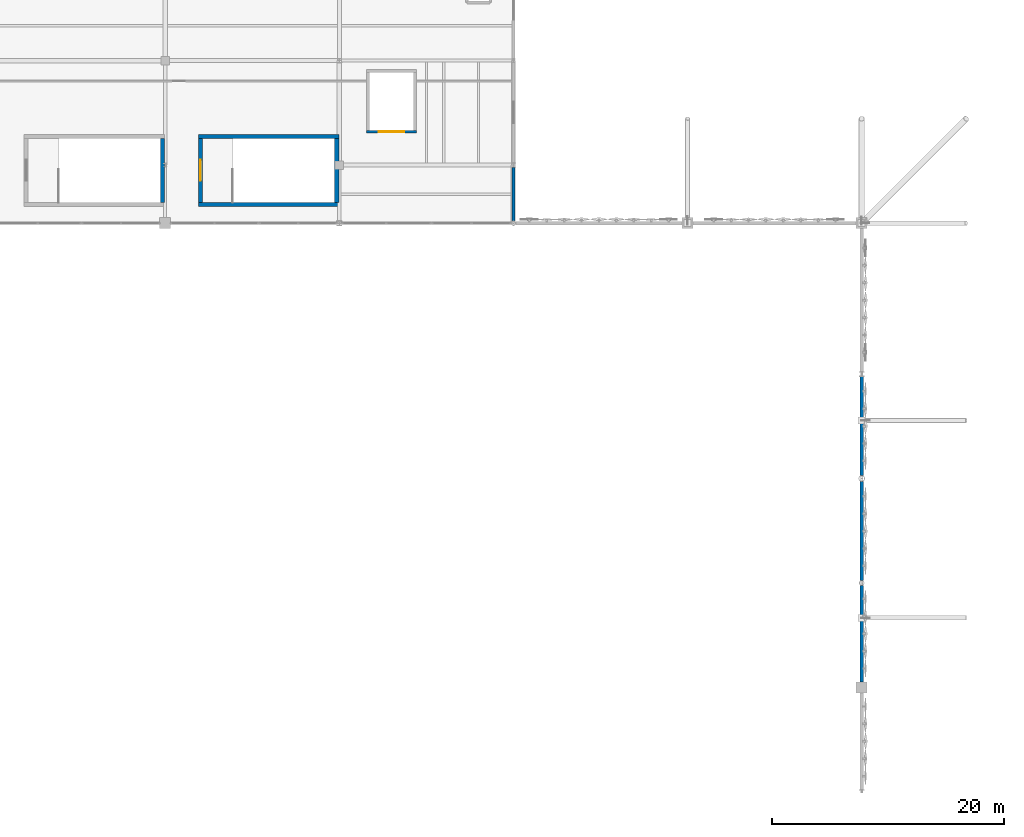
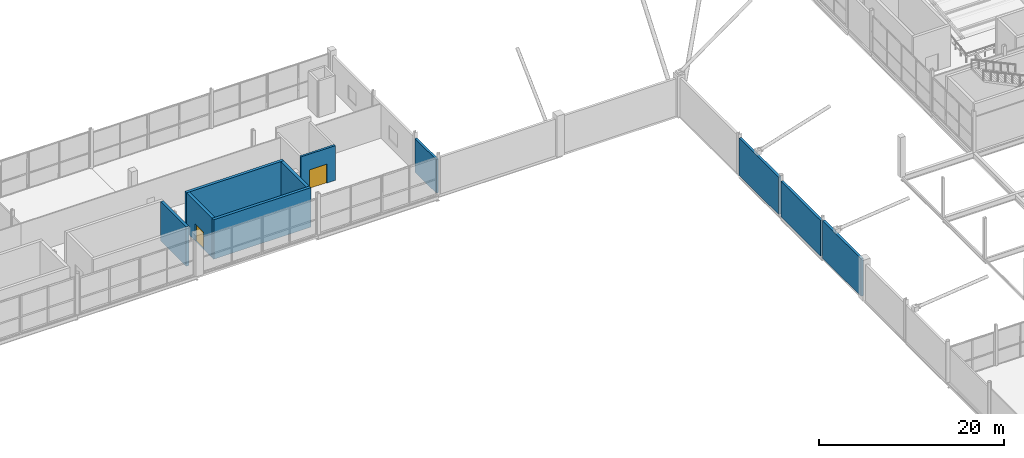
# One storey, part 90 of 119: 10 walls, 2 doors, 2 openings.
"""IFC4 building model written with IfcOpenShell, lengths in metres."""

from ifc_helpers import new_model, si_unit, direction, frame, frame_2d, origin, place, context, subcontext, project, spatial, rectangle, extrude, material, layer, layer_set, type_object, element, fill, save


model = new_model("IFC4")

# Units and contexts
model_context = context("Model", 3, precision=1e-05, world=origin(), true_north=direction((0.0, 1.0)))
body_context = subcontext(model_context, "Body", "Model", "MODEL_VIEW")
ifc_project = project(units=[si_unit("LENGTHUNIT", "METRE"), si_unit("AREAUNIT", "SQUARE_METRE"), si_unit("VOLUMEUNIT", "CUBIC_METRE"), si_unit("PLANEANGLEUNIT", "RADIAN"), si_unit("MASSUNIT", "GRAM", prefix="KILO")], contexts=[model_context])

# Site, building, storey
site_placement = place(None, origin())
site = spatial("IfcSite", under=ifc_project, at=site_placement, CompositionType="ELEMENT")
building_placement = place(site_placement, origin())
building = spatial("IfcBuilding", under=site, at=building_placement, Name="Qamarlyn Nura Convention Centre", CompositionType="ELEMENT")
storey_placement = place(building_placement, frame((0.0, 0.0, 5.39990234375)))
storey = spatial("IfcBuildingStorey", under=building, at=storey_placement, Name="L01", CompositionType="ELEMENT", Elevation=5.39990234375)

# Walls
ifc_material_1 = material(Name="Concrete C50/60", Category="concrete")
ifc_layer_1 = layer(ifc_material_1, 0.35009765625, Name="WT-CORE-350")
ifc_layer_set_1 = layer_set([ifc_layer_1], Name="Concrete C50/60")
wall_type_1 = type_object("IfcWallType", Name="WT-CORE-350", PredefinedType="SHEAR", material=ifc_layer_set_1)
wall_1_placement = place(storey_placement, frame((59.77490234375, 104.800048828125, 0.0), z_axis=(0.0, 0.0, 1.0), x_axis=(0.0, 1.0, 0.0)))
element("IfcWall", 1, at=wall_1_placement, inside=storey, type_object=wall_type_1, Name="L01 stair core shear wall ST-03-E", PredefinedType="SHEAR", context=body_context, shape_type="SweptSolid", body=[
    extrude(rectangle(XDim=5.5, YDim=0.35009765625, at=frame_2d((2.75, 0.0))), origin(), (0.0, 0.0, 1.0), 5.205078125),
])
for number, where, z_axis, x_axis, name in (
    (2, (62.85009765625, 104.625, 0.0), (0.0, 0.0, 1.0), (1.0, 0.0, 0.0), "L01 stair core shear wall ST-04-S"),
    (3, (74.949951171875, 110.47509765625, 0.0), (0.0, 0.0, 1.0), (-1.0, 0.0, 0.0), "L01 stair core shear wall ST-04-N"),
):
    element("IfcWall", number, at=place(storey_placement, frame(where, z_axis=z_axis, x_axis=x_axis)), inside=storey, type_object=wall_type_1, Name=name, PredefinedType="SHEAR", context=body_context, shape_type="SweptSolid", body=[
        extrude(rectangle(XDim=12.099853515625, YDim=0.35009765625, at=frame_2d((6.0498046875, 0.0))), origin(), (0.0, 0.0, 1.0), 5.205078125),
    ])

# Wall, opening, door
wall_2_placement = place(storey_placement, frame((63.02490234375, 110.300048828125, 0.0), z_axis=(0.0, 0.0, 1.0), x_axis=(0.0, -1.0, 0.0)))
wall_2 = element("IfcWall", 4, at=wall_2_placement, inside=storey, type_object=wall_type_1, Name="L01 stair core shear wall ST-04-W", PredefinedType="SHEAR", context=body_context, shape_type="SweptSolid", body=[
    extrude(rectangle(XDim=5.5, YDim=0.35009765625, at=frame_2d((2.75, 0.0))), origin(), (0.0, 0.0, 1.0), 5.205078125),
])
opening_1_placement = place(wall_2_placement, frame((1.85009765625, 0.0, 0.0)))
opening_1 = element("IfcOpeningElement", 5, at=opening_1_placement, cuts=wall_2, Name="Opening DS-012", PredefinedType="OPENING", context=body_context, shape_type="SweptSolid", body=[
    extrude(rectangle(XDim=1.800048828125, YDim=2.199951171875, at=frame_2d((0.89990234375, 1.10009765625))), frame((0.0, 0.18505859375, 0.0), z_axis=(0.0, -1.0, 0.0), x_axis=(1.0, 0.0, 0.0)), (0.0, 0.0, 1.0), 0.3701171875),
])
ifc_material_2 = material(Name="Galvanised fire-rated hollow steel door", Category="steel")
door_type_1 = type_object("IfcDoorType", Name="DR-STAIR-1800", OperationType="DOUBLE_DOOR_SINGLE_SWING", PredefinedType="DOOR", material=ifc_material_2)
door_1_placement = place(opening_1_placement, origin())
door_1 = element("IfcDoor", 6, at=door_1_placement, inside=storey, type_object=door_type_1, Name="L01 exit stair door ST-04 (DS-012)", OperationType="DOUBLE_DOOR_SINGLE_SWING", OverallHeight=2.199951171875, OverallWidth=1.800048828125, PredefinedType="DOOR", context=body_context, shape_type="SweptSolid", body=[
    extrude(rectangle(XDim=1.800048828125, YDim=2.199951171875, at=frame_2d((0.89990234375, 1.10009765625))), frame((0.0, 0.02490234375, 0.0), z_axis=(0.0, -1.0, 0.0), x_axis=(1.0, 0.0, 0.0)), (0.0, 0.0, 1.0), 0.050048828125),
])
fill(opening_1, door_1)

# Walls
wall_3_placement = place(storey_placement, frame((74.77490234375, 104.800048828125, 0.0), z_axis=(0.0, 0.0, 1.0), x_axis=(0.0, 1.0, 0.0)))
element("IfcWall", 7, at=wall_3_placement, inside=storey, type_object=wall_type_1, Name="L01 stair core shear wall ST-04-E", PredefinedType="SHEAR", context=body_context, shape_type="SweptSolid", body=[
    extrude(rectangle(XDim=5.5, YDim=0.35009765625, at=frame_2d((2.75, 0.0))), origin(), (0.0, 0.0, 1.0), 5.205078125),
])
ifc_material_3 = material(Name="Concrete C40/50", Category="concrete")
ifc_layer_2 = layer(ifc_material_3, 0.280029296875, Name="WT-EXT-280")
ifc_layer_set_2 = layer_set([ifc_layer_2], Name="Concrete C40/50")
wall_type_2 = type_object("IfcWallType", Name="WT-EXT-280", PredefinedType="SOLIDWALL", material=ifc_layer_set_2)
wall_4_placement = place(storey_placement, frame((90.0, 107.81396484375, 0.0), z_axis=(0.0, 0.0, 1.0), x_axis=(0.0, -1.0, 0.0)))
element("IfcWall", 8, at=wall_4_placement, inside=storey, type_object=wall_type_2, Name="L01 exterior facade wall WEXT-L01-900-1078-900-1032", PredefinedType="SOLIDWALL", context=body_context, shape_type="SweptSolid", body=[
    extrude(rectangle(XDim=4.61083984375, YDim=0.280029296875, at=frame_2d((2.305419921875, 0.0))), origin(), (0.0, 0.0, 1.0), 4.4169921875),
])
ifc_material_4 = material(Name="Concrete C40/50 with UAE coastal limestone stone facing", Category="masonry")
ifc_layer_3 = layer(ifc_material_4, 0.300048828125, Name="WT-LIME-300")
ifc_layer_set_3 = layer_set([ifc_layer_3], Name="Concrete C40/50 with UAE coastal limestone stone facing")
wall_type_3 = type_object("IfcWallType", Name="WT-LIME-300", PredefinedType="SOLIDWALL", material=ifc_layer_set_3)
wall_5_placement = place(storey_placement, frame((120.0, 71.796875, 0.0), z_axis=(0.0, 0.0, 1.0), x_axis=(0.0, -1.0, 0.0)))
element("IfcWall", 9, at=wall_5_placement, inside=storey, type_object=wall_type_3, Name="L01 exterior facade wall WEXT-L01-1200-718-1200-635", PredefinedType="SOLIDWALL", context=body_context, shape_type="SweptSolid", body=[
    extrude(rectangle(XDim=8.32177734375, YDim=0.300048828125, at=frame_2d((4.160888671875, 0.0))), origin(), (0.0, 0.0, 1.0), 4.940185546875),
])
wall_6_placement = place(storey_placement, frame((120.0, 80.74609375, 0.0), z_axis=(0.0, 0.0, 1.0), x_axis=(0.0, -1.0, 0.0)))
element("IfcWall", 10, at=wall_6_placement, inside=storey, type_object=wall_type_3, Name="L01 exterior facade wall WEXT-L01-1200-807-1200-722", PredefinedType="SOLIDWALL", context=body_context, shape_type="SweptSolid", body=[
    extrude(rectangle(XDim=8.54296875, YDim=0.300048828125, at=frame_2d((4.271484375, 0.0))), origin(), (0.0, 0.0, 1.0), 4.701171875),
])
wall_7_placement = place(storey_placement, frame((120.0, 89.78759765625, 0.0), z_axis=(0.0, 0.0, 1.0), x_axis=(0.0, -1.0, 0.0)))
element("IfcWall", 11, at=wall_7_placement, inside=storey, type_object=wall_type_3, Name="L01 exterior facade wall WEXT-L01-1200-898-1200-813", PredefinedType="SOLIDWALL", context=body_context, shape_type="SweptSolid", body=[
    extrude(rectangle(XDim=8.53369140625, YDim=0.300048828125, at=frame_2d((4.266845703125, 0.0))), origin(), (0.0, 0.0, 1.0), 4.919189453125),
])

# Wall, opening, door
ifc_material_5 = material(Name="Fire-rated acoustic gypsum board and mineral wool EI 120")
ifc_layer_4 = layer(ifc_material_5, 0.25, Name="WT-SHAFT-250")
ifc_layer_set_4 = layer_set([ifc_layer_4], Name="Fire-rated acoustic gypsum board and mineral wool EI 120")
wall_type_4 = type_object("IfcWallType", Name="WT-SHAFT-250", PredefinedType="SOLIDWALL", material=ifc_layer_set_4)
wall_8_placement = place(storey_placement, frame((77.35009765625, 110.875, 0.0), z_axis=(0.0, 0.0, 1.0), x_axis=(1.0, 0.0, 0.0)))
wall_8 = element("IfcWall", 12, at=wall_8_placement, inside=storey, type_object=wall_type_4, Name="L01 lift shaft enclosure wall FL-01 -y", PredefinedType="SOLIDWALL", context=body_context, shape_type="SweptSolid", body=[
    extrude(rectangle(XDim=4.2998046875, YDim=0.25, at=frame_2d((2.14990234375, 0.0))), origin(), (0.0, 0.0, 1.0), 4.58203125),
])
opening_2_placement = place(wall_8_placement, frame((1.050048828125, 0.0, 0.0)))
opening_2 = element("IfcOpeningElement", 13, at=opening_2_placement, cuts=wall_8, Name="Opening LD-FL-01-L01", PredefinedType="OPENING", context=body_context, shape_type="SweptSolid", body=[
    extrude(rectangle(XDim=2.199951171875, YDim=2.5, at=frame_2d((1.10009765625, 1.25))), frame((0.0, 0.135009765625, 0.0), z_axis=(0.0, -1.0, 0.0), x_axis=(1.0, 0.0, 0.0)), (0.0, 0.0, 1.0), 0.27001953125),
])
door_type_2 = type_object("IfcDoorType", Name="DR-LD-FRT", OperationType="DOUBLE_DOOR_SLIDING", PredefinedType="DOOR", material=ifc_material_2)
door_2_placement = place(opening_2_placement, origin())
door_2 = element("IfcDoor", 14, at=door_2_placement, inside=storey, type_object=door_type_2, Name="Lift landing door LD-FL-01-L01", OperationType="DOUBLE_DOOR_SLIDING", OverallHeight=2.5, OverallWidth=2.199951171875, PredefinedType="DOOR", context=body_context, shape_type="SweptSolid", body=[
    extrude(rectangle(XDim=2.199951171875, YDim=2.5, at=frame_2d((1.10009765625, 1.25))), frame((0.0, 0.02490234375, 0.0), z_axis=(0.0, -1.0, 0.0), x_axis=(1.0, 0.0, 0.0)), (0.0, 0.0, 1.0), 0.050048828125),
])
fill(opening_2, door_2)

save(model, "model.ifc")
